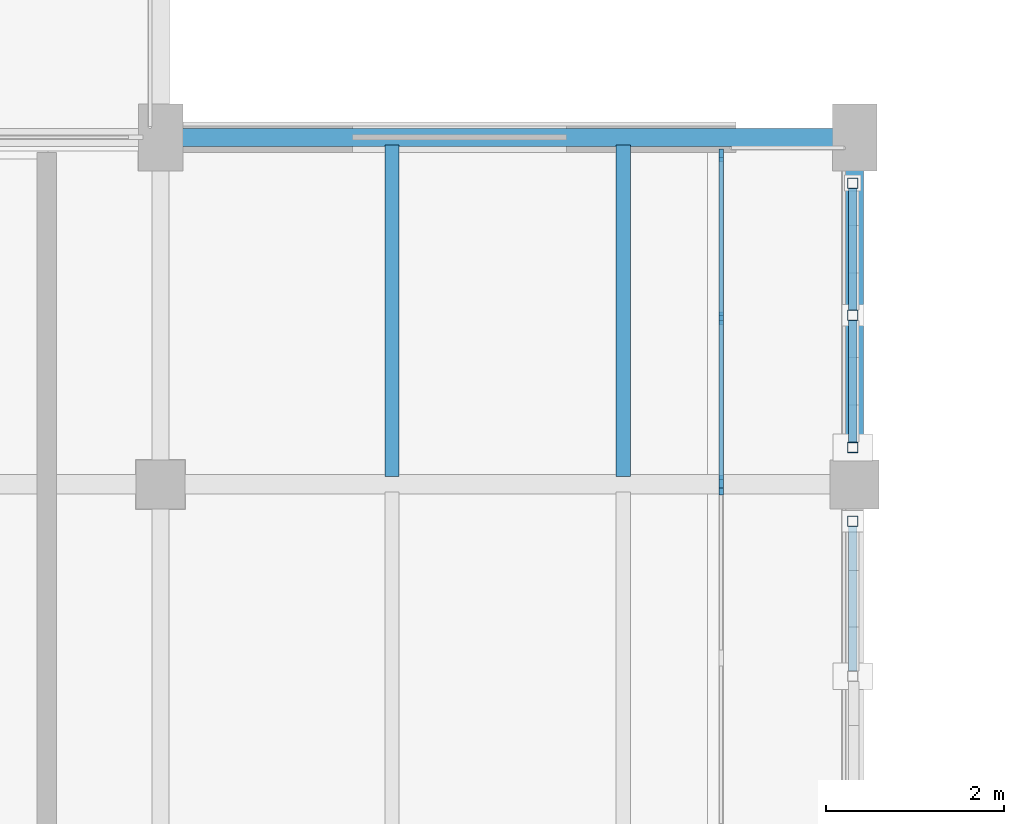
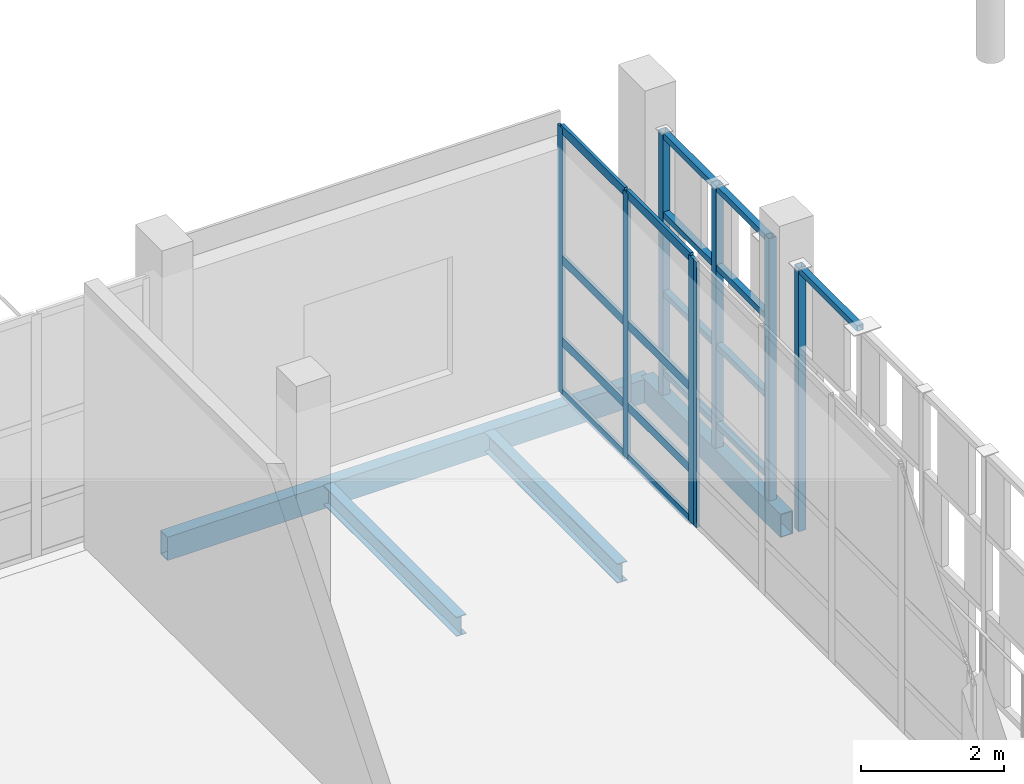
# One storey, part 38 of 138: 25 members, 4 beams, 2 elements without a shape of their own.
"""IFC4 building model written with IfcOpenShell, lengths in metres."""

from ifc_helpers import new_model, si_unit, direction, frame, origin, origin_2d, place, context, subcontext, project, spatial, rectangle, hollow_rectangle, i_section, extrude, material, layer, layer_set, material_profile, profile_set, type_object, element, aggregate, save


model = new_model("IFC4")

# Units and contexts
model_context = context("Model", 3, precision=1e-05, world=origin(), true_north=direction((0.0, 1.0)))
body_context = subcontext(model_context, "Body", "Model", "MODEL_VIEW")
ifc_project = project(units=[si_unit("LENGTHUNIT", "METRE"), si_unit("AREAUNIT", "SQUARE_METRE"), si_unit("VOLUMEUNIT", "CUBIC_METRE"), si_unit("PLANEANGLEUNIT", "RADIAN"), si_unit("MASSUNIT", "GRAM", prefix="KILO")], contexts=[model_context])

# Site, building, storey
site_placement = place(None, origin())
site = spatial("IfcSite", under=ifc_project, at=site_placement, CompositionType="ELEMENT")
building_placement = place(site_placement, origin())
building = spatial("IfcBuilding", under=site, at=building_placement, Name="Celorna Specialist Clinic", CompositionType="ELEMENT")
storey_placement = place(building_placement, frame((0.0, 0.0, 4.800048828125)))
storey = spatial("IfcBuildingStorey", under=building, at=storey_placement, Name="L01", CompositionType="ELEMENT", Elevation=4.800048828125)

# Beams
ifc_material_1 = material(Name="Steel S355", Category="steel")
ifc_material_profile_1 = material_profile(ifc_material_1, i_section(OverallWidth=0.159912109375, OverallDepth=0.330078125, WebThickness=0.007568359375, FlangeThickness=0.011474609375, at=origin_2d()), Name="IPE 330")
ifc_profile_set_1 = profile_set([ifc_material_profile_1], Name="Steel S355")
beam_type_1 = type_object("IfcBeamType", Name="BM-12", PredefinedType="JOIST", material=ifc_profile_set_1)
for number, where, z_axis, x_axis, name in (
    (1, (41.60009765625, 58.587890625, -0.505126953125), (0.0, 1.0, 0.0), (-1.0, 0.0, 0.0), "Secondary floor joist BM-12 #452"),
    (2, (44.199951171875, 58.587890625, -0.505126953125), (0.0, 1.0, 0.0), (-1.0, 0.0, 0.0), "Secondary floor joist BM-12 #453"),
):
    element("IfcBeam", number, at=place(storey_placement, frame(where, z_axis=z_axis, x_axis=x_axis)), inside=storey, type_object=beam_type_1, Name=name, PredefinedType="JOIST", context=body_context, shape_type="SweptSolid", body=[
        extrude(i_section(OverallWidth=0.159912109375, OverallDepth=0.330078125, WebThickness=0.007568359375, FlangeThickness=0.011474609375, at=origin_2d()), origin(), (0.0, 0.0, 1.0), 3.72412109375),
    ])
ifc_material_profile_2 = material_profile(ifc_material_1, hollow_rectangle(XDim=0.199951171875, YDim=0.39990234375, WallThickness=0.011962890625, at=origin_2d()), Name="RHS 200x400x12")
ifc_profile_set_2 = profile_set([ifc_material_profile_2], Name="Steel S355")
beam_type_2 = type_object("IfcBeamType", Name="BM-15", PredefinedType="SPANDREL", material=ifc_profile_set_2)
beam_1_placement = place(storey_placement, frame((39.0, 62.39990234375, -0.5400390625), z_axis=(1.0, 0.0, 0.0), x_axis=(0.0, 1.0, 0.0)))
element("IfcBeam", 3, at=beam_1_placement, inside=storey, type_object=beam_type_2, Name="Spandrel beam BM-15 #385", PredefinedType="SPANDREL", context=body_context, shape_type="SweptSolid", body=[
    extrude(hollow_rectangle(XDim=0.199951171875, YDim=0.39990234375, WallThickness=0.011962890625, at=origin_2d()), origin(), (0.0, 0.0, 1.0), 7.800048828125),
])
beam_2_placement = place(storey_placement, frame((46.800048828125, 58.5, -0.5400390625), z_axis=(0.0, 1.0, 0.0), x_axis=(-1.0, 0.0, 0.0)))
element("IfcBeam", 4, at=beam_2_placement, inside=storey, type_object=beam_type_2, Name="Spandrel beam BM-15 #413", PredefinedType="SPANDREL", context=body_context, shape_type="SweptSolid", body=[
    extrude(hollow_rectangle(XDim=0.199951171875, YDim=0.39990234375, WallThickness=0.011962890625, at=origin_2d()), origin(), (0.0, 0.0, 1.0), 3.89990234375),
])

# Members
ifc_material_profile_3 = material_profile(ifc_material_1, hollow_rectangle(XDim=0.1201171875, YDim=0.1201171875, WallThickness=0.008056640625, at=origin_2d()), Name="SHS 120x120x8")
ifc_profile_set_3 = profile_set([ifc_material_profile_3], Name="Steel S355")
member_type_1 = type_object("IfcMemberType", Name="MB-11", PredefinedType="STUD", material=ifc_profile_set_3)
for number, where, z_axis, x_axis, name in (
    (5, (46.780029296875, 58.0849609375, -0.360107421875), (0.0, 0.0, 1.0), (1.0, 0.0, 0.0), "Perforated screen steel post #1511"),
    (6, (46.780029296875, 58.9150390625, -0.360107421875), (0.0, 0.0, 1.0), (1.0, 0.0, 0.0), "Perforated screen steel post #1528"),
    (7, (46.780029296875, 60.39990234375, -0.360107421875), (0.0, 0.0, 1.0), (1.0, 0.0, 0.0), "Perforated screen steel post #1529"),
    (8, (46.780029296875, 61.885009765625, -0.360107421875), (0.0, 0.0, 1.0), (1.0, 0.0, 0.0), "Perforated screen steel post #1530"),
):
    element("IfcMember", number, at=place(storey_placement, frame(where, z_axis=z_axis, x_axis=x_axis)), inside=storey, type_object=member_type_1, Name=name, PredefinedType="STUD", context=body_context, shape_type="SweptSolid", body=[
        extrude(hollow_rectangle(XDim=0.1201171875, YDim=0.1201171875, WallThickness=0.008056640625, at=origin_2d()), origin(), (0.0, 0.0, 1.0), 4.5),
    ])
ifc_material_profile_4 = material_profile(ifc_material_1, hollow_rectangle(XDim=0.10009765625, YDim=0.10009765625, WallThickness=0.006103515625, at=origin_2d()), Name="SHS 100x100x6")
ifc_profile_set_4 = profile_set([ifc_material_profile_4], Name="Steel S355")
member_type_2 = type_object("IfcMemberType", Name="MB-12", PredefinedType="STUD", material=ifc_profile_set_4)
member_1_placement = place(storey_placement, frame((46.780029296875, 56.402587890625, 4.08984375), z_axis=(0.0, 1.0, 0.0), x_axis=(-1.0, 0.0, 0.0)))
element("IfcMember", 9, at=member_1_placement, inside=storey, type_object=member_type_2, Name="Perforated screen rail #1527", PredefinedType="STUD", context=body_context, shape_type="SweptSolid", body=[
    extrude(hollow_rectangle(XDim=0.10009765625, YDim=0.10009765625, WallThickness=0.006103515625, at=origin_2d()), origin(), (0.0, 0.0, 1.0), 1.622314453125),
])
for number, where, z_axis, x_axis, name in (
    (10, (46.780029296875, 58.97509765625, 0.050048828125), (0.0, 1.0, 0.0), (-1.0, 0.0, 0.0), "Perforated screen rail #1531"),
    (11, (46.780029296875, 58.97509765625, 1.396728515625), (0.0, 1.0, 0.0), (-1.0, 0.0, 0.0), "Perforated screen rail #1532"),
    (12, (46.780029296875, 58.97509765625, 2.7431640625), (0.0, 1.0, 0.0), (-1.0, 0.0, 0.0), "Perforated screen rail #1533"),
    (13, (46.780029296875, 58.97509765625, 4.08984375), (0.0, 1.0, 0.0), (-1.0, 0.0, 0.0), "Perforated screen rail #1534"),
    (14, (46.780029296875, 60.4599609375, 0.050048828125), (0.0, 1.0, 0.0), (-1.0, 0.0, 0.0), "Perforated screen rail #1535"),
    (15, (46.780029296875, 60.4599609375, 1.396728515625), (0.0, 1.0, 0.0), (-1.0, 0.0, 0.0), "Perforated screen rail #1536"),
    (16, (46.780029296875, 60.4599609375, 2.7431640625), (0.0, 1.0, 0.0), (-1.0, 0.0, 0.0), "Perforated screen rail #1537"),
    (17, (46.780029296875, 60.4599609375, 4.08984375), (0.0, 1.0, 0.0), (-1.0, 0.0, 0.0), "Perforated screen rail #1538"),
):
    element("IfcMember", number, at=place(storey_placement, frame(where, z_axis=z_axis, x_axis=x_axis)), inside=storey, type_object=member_type_2, Name=name, PredefinedType="STUD", context=body_context, shape_type="SweptSolid", body=[
        extrude(hollow_rectangle(XDim=0.10009765625, YDim=0.10009765625, WallThickness=0.006103515625, at=origin_2d()), origin(), (0.0, 0.0, 1.0), 1.364990234375),
    ])

# Curtain wall, member
ifc_material_2 = material(Name="Thermally broken aluminium and solar-control glass curtain wall", Category="aluminium")
ifc_layer_1 = layer(ifc_material_2, 0.159912109375, Name="Thermally broken aluminium and solar-control glass curtain wall")
ifc_layer_set_1 = layer_set([ifc_layer_1], Name="Thermally broken aluminium and solar-control glass curtain wall")
curtain_wall_type_1 = type_object("IfcCurtainWallType", Name="CW-26", PredefinedType="NOTDEFINED", material=ifc_layer_set_1)
curtain_wall_1_placement = place(storey_placement, origin())
curtain_wall_1 = element("IfcCurtainWall", 18, at=curtain_wall_1_placement, inside=storey, type_object=curtain_wall_type_1, Name="Curtain wall CW-26 #55", PredefinedType="NOTDEFINED")
ifc_material_3 = material(Name="Anodized aluminium mullion", Category="aluminium")
ifc_material_profile_5 = material_profile(ifc_material_3, rectangle(XDim=0.050048828125, YDim=0.179931640625, at=origin_2d()), Name="ALU MULLION 50x180")
ifc_profile_set_5 = profile_set([ifc_material_profile_5], Name="Anodized aluminium mullion")
member_type_3 = type_object("IfcMemberType", Name="ML-02", PredefinedType="MULLION", material=ifc_profile_set_5)
member_2_placement = place(storey_placement, frame((45.300048828125, 58.470947265625, 0.0), z_axis=(0.0, 0.0, 1.0), x_axis=(1.0, 0.0, 0.0)))
member_2 = element("IfcMember", 19, at=member_2_placement, type_object=member_type_3, Name="CW-26 mullion 1", PredefinedType="MULLION", context=body_context, shape_type="SweptSolid", body=[
    extrude(rectangle(XDim=0.050048828125, YDim=0.179931640625, at=origin_2d()), origin(), (0.0, 0.0, 1.0), 4.5400390625),
])
aggregate(curtain_wall_1, [member_2])

# Curtain wall, members
ifc_layer_2 = layer(ifc_material_2, 0.159912109375, Name="Thermally broken aluminium and solar-control glass curtain wall")
ifc_layer_set_2 = layer_set([ifc_layer_2], Name="Thermally broken aluminium and solar-control glass curtain wall")
curtain_wall_type_2 = type_object("IfcCurtainWallType", Name="CW-27", PredefinedType="NOTDEFINED", material=ifc_layer_set_2)
curtain_wall_2_placement = place(storey_placement, origin())
curtain_wall_2 = element("IfcCurtainWall", 20, at=curtain_wall_2_placement, inside=storey, type_object=curtain_wall_type_2, Name="Curtain wall CW-27 #56", PredefinedType="NOTDEFINED")
ifc_material_profile_6 = material_profile(ifc_material_3, rectangle(XDim=0.050048828125, YDim=0.139892578125, at=origin_2d()), Name="ALU MULLION 50x140")
ifc_profile_set_6 = profile_set([ifc_material_profile_6], Name="Anodized aluminium mullion")
member_type_4 = type_object("IfcMemberType", Name="ML-03", PredefinedType="MULLION", material=ifc_profile_set_6)
member_3_placement = place(storey_placement, frame((45.300048828125, 62.200927734375, 0.0), z_axis=(0.0, 0.0, 1.0), x_axis=(1.0, 0.0, 0.0)))
member_3 = element("IfcMember", 21, at=member_3_placement, type_object=member_type_4, Name="CW-27 mullion 1", PredefinedType="MULLION", context=body_context, shape_type="SweptSolid", body=[
    extrude(rectangle(XDim=0.050048828125, YDim=0.139892578125, at=origin_2d()), origin(), (0.0, 0.0, 1.0), 4.5400390625),
])
member_4_placement = place(storey_placement, frame((45.300048828125, 60.364990234375, 0.0), z_axis=(0.0, 0.0, 1.0), x_axis=(1.0, 0.0, 0.0)))
member_4 = element("IfcMember", 22, at=member_4_placement, type_object=member_type_4, Name="CW-27 mullion 2", PredefinedType="MULLION", context=body_context, shape_type="SweptSolid", body=[
    extrude(rectangle(XDim=0.050048828125, YDim=0.139892578125, at=origin_2d()), origin(), (0.0, 0.0, 1.0), 4.5400390625),
])
member_5_placement = place(storey_placement, frame((45.300048828125, 58.529052734375, 0.0), z_axis=(0.0, 0.0, 1.0), x_axis=(1.0, 0.0, 0.0)))
member_5 = element("IfcMember", 23, at=member_5_placement, type_object=member_type_4, Name="CW-27 mullion 3", PredefinedType="MULLION", context=body_context, shape_type="SweptSolid", body=[
    extrude(rectangle(XDim=0.050048828125, YDim=0.139892578125, at=origin_2d()), origin(), (0.0, 0.0, 1.0), 4.5400390625),
])
ifc_material_4 = material(Name="Anodized aluminium transom", Category="aluminium")
ifc_material_profile_7 = material_profile(ifc_material_4, rectangle(XDim=0.050048828125, YDim=0.14990234375, at=origin_2d()), Name="ALU TRANSOM 50x150")
ifc_profile_set_7 = profile_set([ifc_material_profile_7], Name="Anodized aluminium transom")
member_type_5 = type_object("IfcMemberType", Name="TR-02", PredefinedType="USERDEFINED", material=ifc_profile_set_7)
member_6_placement = place(storey_placement, frame((45.300048828125, 62.176025390625, 0.02490234375), z_axis=(0.0, -1.0, 0.0), x_axis=(1.0, 0.0, 0.0)))
member_6 = element("IfcMember", 24, at=member_6_placement, type_object=member_type_5, Name="CW-27 transom 1.1", ObjectType="TRANSOM", PredefinedType="USERDEFINED", context=body_context, shape_type="SweptSolid", body=[
    extrude(rectangle(XDim=0.050048828125, YDim=0.14990234375, at=origin_2d()), origin(), (0.0, 0.0, 1.0), 1.7861328125),
])
member_7_placement = place(storey_placement, frame((45.300048828125, 62.176025390625, 0.89990234375), z_axis=(0.0, -1.0, 0.0), x_axis=(1.0, 0.0, 0.0)))
member_7 = element("IfcMember", 25, at=member_7_placement, type_object=member_type_5, Name="CW-27 transom 1.2", ObjectType="TRANSOM", PredefinedType="USERDEFINED", context=body_context, shape_type="SweptSolid", body=[
    extrude(rectangle(XDim=0.050048828125, YDim=0.14990234375, at=origin_2d()), origin(), (0.0, 0.0, 1.0), 1.7861328125),
])
member_8_placement = place(storey_placement, frame((45.300048828125, 62.176025390625, 2.300048828125), z_axis=(0.0, -1.0, 0.0), x_axis=(1.0, 0.0, 0.0)))
member_8 = element("IfcMember", 26, at=member_8_placement, type_object=member_type_5, Name="CW-27 transom 1.3", ObjectType="TRANSOM", PredefinedType="USERDEFINED", context=body_context, shape_type="SweptSolid", body=[
    extrude(rectangle(XDim=0.050048828125, YDim=0.14990234375, at=origin_2d()), origin(), (0.0, 0.0, 1.0), 1.7861328125),
])
member_9_placement = place(storey_placement, frame((45.300048828125, 62.176025390625, 4.514892578125), z_axis=(0.0, -1.0, 0.0), x_axis=(1.0, 0.0, 0.0)))
member_9 = element("IfcMember", 27, at=member_9_placement, type_object=member_type_5, Name="CW-27 transom 1.4", ObjectType="TRANSOM", PredefinedType="USERDEFINED", context=body_context, shape_type="SweptSolid", body=[
    extrude(rectangle(XDim=0.050048828125, YDim=0.14990234375, at=origin_2d()), origin(), (0.0, 0.0, 1.0), 1.7861328125),
])
member_10_placement = place(storey_placement, frame((45.300048828125, 60.340087890625, 0.02490234375), z_axis=(0.0, -1.0, 0.0), x_axis=(1.0, 0.0, 0.0)))
member_10 = element("IfcMember", 28, at=member_10_placement, type_object=member_type_5, Name="CW-27 transom 2.1", ObjectType="TRANSOM", PredefinedType="USERDEFINED", context=body_context, shape_type="SweptSolid", body=[
    extrude(rectangle(XDim=0.050048828125, YDim=0.14990234375, at=origin_2d()), origin(), (0.0, 0.0, 1.0), 1.7861328125),
])
member_11_placement = place(storey_placement, frame((45.300048828125, 60.340087890625, 0.89990234375), z_axis=(0.0, -1.0, 0.0), x_axis=(1.0, 0.0, 0.0)))
member_11 = element("IfcMember", 29, at=member_11_placement, type_object=member_type_5, Name="CW-27 transom 2.2", ObjectType="TRANSOM", PredefinedType="USERDEFINED", context=body_context, shape_type="SweptSolid", body=[
    extrude(rectangle(XDim=0.050048828125, YDim=0.14990234375, at=origin_2d()), origin(), (0.0, 0.0, 1.0), 1.7861328125),
])
member_12_placement = place(storey_placement, frame((45.300048828125, 60.340087890625, 2.300048828125), z_axis=(0.0, -1.0, 0.0), x_axis=(1.0, 0.0, 0.0)))
member_12 = element("IfcMember", 30, at=member_12_placement, type_object=member_type_5, Name="CW-27 transom 2.3", ObjectType="TRANSOM", PredefinedType="USERDEFINED", context=body_context, shape_type="SweptSolid", body=[
    extrude(rectangle(XDim=0.050048828125, YDim=0.14990234375, at=origin_2d()), origin(), (0.0, 0.0, 1.0), 1.7861328125),
])
member_13_placement = place(storey_placement, frame((45.300048828125, 60.340087890625, 4.514892578125), z_axis=(0.0, -1.0, 0.0), x_axis=(1.0, 0.0, 0.0)))
member_13 = element("IfcMember", 31, at=member_13_placement, type_object=member_type_5, Name="CW-27 transom 2.4", ObjectType="TRANSOM", PredefinedType="USERDEFINED", context=body_context, shape_type="SweptSolid", body=[
    extrude(rectangle(XDim=0.050048828125, YDim=0.14990234375, at=origin_2d()), origin(), (0.0, 0.0, 1.0), 1.7861328125),
])
aggregate(curtain_wall_2, [member_3, member_4, member_5, member_6, member_7, member_8, member_9, member_10, member_11, member_12, member_13])

save(model, "model.ifc")
